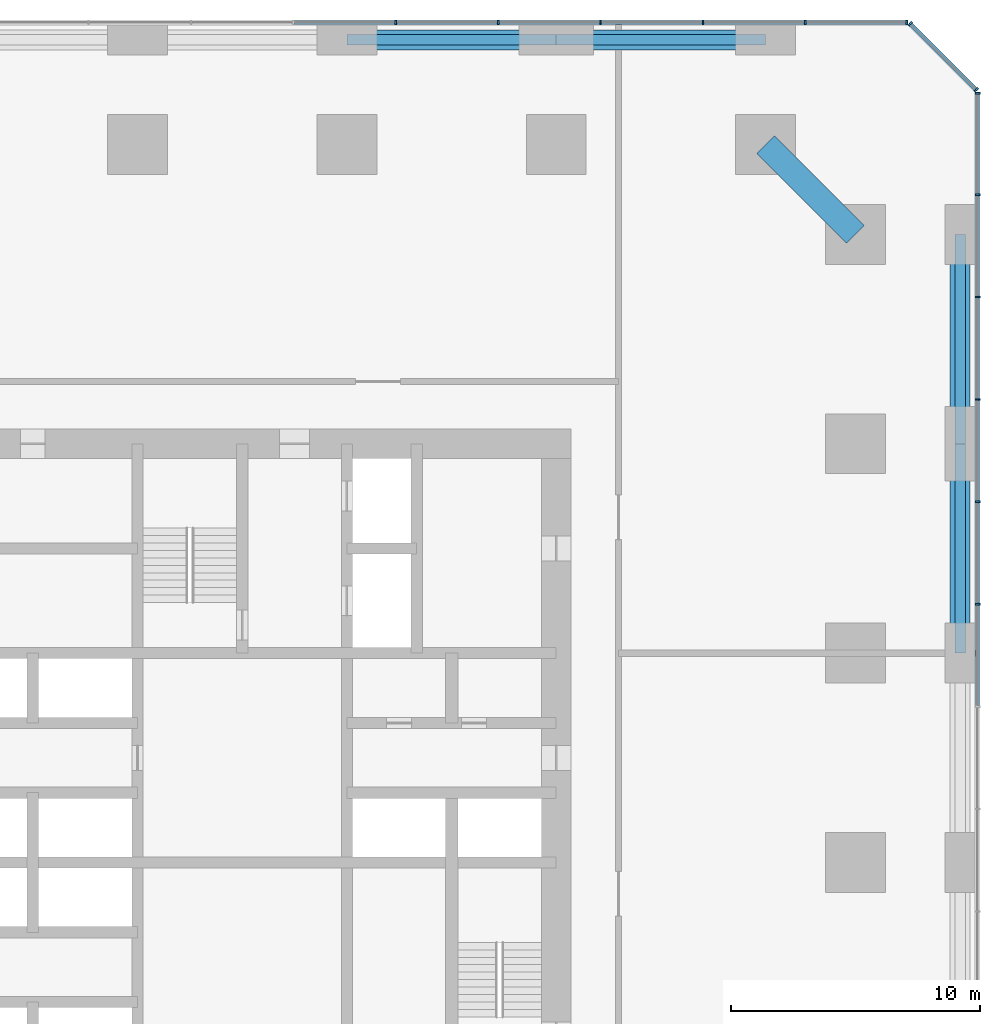
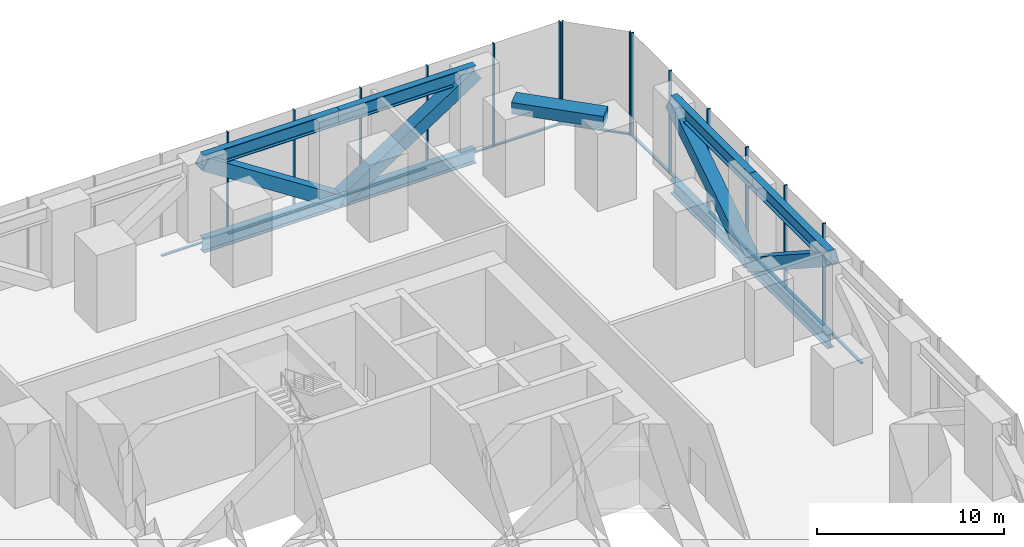
# One storey, part 7 of 11: 39 members, 1 beam, 3 elements without a shape of their own.
"""IFC4 building model written with IfcOpenShell, lengths in metres."""

from ifc_helpers import new_model, si_unit, direction, frame, origin, origin_2d, place, context, subcontext, project, spatial, rectangle, hollow_rectangle, i_section, extrude, material, material_profile, profile_set, type_object, element, aggregate, save


model = new_model("IFC4")

# Units and contexts
model_context = context("Model", 3, precision=1e-05, world=origin(), true_north=direction((0.0, 1.0)))
body_context = subcontext(model_context, "Body", "Model", "MODEL_VIEW")
ifc_project = project(units=[si_unit("LENGTHUNIT", "METRE"), si_unit("AREAUNIT", "SQUARE_METRE"), si_unit("VOLUMEUNIT", "CUBIC_METRE"), si_unit("PLANEANGLEUNIT", "RADIAN"), si_unit("MASSUNIT", "GRAM", prefix="KILO")], contexts=[model_context])

# Site, building, storey
site_placement = place(None, origin())
site = spatial("IfcSite", under=ifc_project, at=site_placement, CompositionType="ELEMENT")
building_placement = place(site_placement, origin())
building = spatial("IfcBuilding", under=site, at=building_placement, Name="Dunama Terrace Hotel", CompositionType="ELEMENT")
storey_placement = place(building_placement, frame((0.0, 0.0, 88.199951171875)))
storey = spatial("IfcBuildingStorey", under=building, at=storey_placement, Name="L22", CompositionType="ELEMENT", Elevation=88.199951171875)

# Members
ifc_material_1 = material(Name="Steel S355", Category="steel")
ifc_material_profile_1 = material_profile(ifc_material_1, hollow_rectangle(XDim=0.800048828125, YDim=0.800048828125, WallThickness=0.06005859375, at=origin_2d()), Name="BOX 800x800x60")
ifc_profile_set_1 = profile_set([ifc_material_profile_1], Name="Steel S355")
member_type_1 = type_object("IfcMemberType", Name="Brace BOX 800x800x60", PredefinedType="BRACE", material=ifc_profile_set_1)
for number, where, z_axis, x_axis, name in (
    (1, (58.199951171875, 42.0, -0.8603515625), (0.0, -0.83889900313, 0.544287114075), (1.0, 0.0, 0.0), "Belt truss diagonal L22"),
    (2, (58.199951171875, 42.0, -0.8603515625), (0.0, 0.83889900313, 0.544287114075), (-1.0, 0.0, 0.0), "Belt truss diagonal L22"),
    (3, (42.0, 58.199951171875, -0.8603515625), (-0.83889900313, 0.0, 0.544287114075), (0.0, -1.0, 0.0), "Belt truss diagonal L22"),
    (4, (42.0, 58.199951171875, -0.8603515625), (0.83889900313, 0.0, 0.544287114075), (0.0, 1.0, 0.0), "Belt truss diagonal L22"),
):
    element("IfcMember", number, at=place(storey_placement, frame(where, z_axis=z_axis, x_axis=x_axis)), inside=storey, type_object=member_type_1, Name=name, PredefinedType="BRACE", context=body_context, shape_type="SweptSolid", body=[
        extrude(hollow_rectangle(XDim=0.800048828125, YDim=0.800048828125, WallThickness=0.06005859375, at=origin_2d()), origin(), (0.0, 0.0, 1.0), 10.012939453125),
    ])

# Curtain wall, members
ifc_material_2 = material(Name="Aluminium curtain wall system", Category="aluminium")
curtain_wall_type = type_object("IfcCurtainWallType", Name="Plant floor louvred glazing CW-G", PredefinedType="NOTDEFINED", material=ifc_material_2)
curtain_wall_1_placement = place(storey_placement, origin())
curtain_wall_1 = element("IfcCurtainWall", 5, at=curtain_wall_1_placement, inside=storey, type_object=curtain_wall_type, Name="Plant floor louvred glazing CW-G L22", PredefinedType="NOTDEFINED")
ifc_material_3 = material(Name="Aluminium mullion", Category="aluminium")
ifc_material_profile_2 = material_profile(ifc_material_3, rectangle(XDim=0.074951171875, YDim=0.199951171875, at=origin_2d()), Name="CWG MULLION 75X200")
ifc_profile_set_2 = profile_set([ifc_material_profile_2], Name="Aluminium mullion")
member_type_2 = type_object("IfcMemberType", Name="CWG mullion 75x200", PredefinedType="MULLION", material=ifc_profile_set_2)
member_1_placement = place(storey_placement, frame((58.89990234375, 35.56201171875, -1.321044921875), z_axis=(0.0, 0.0, 1.0), x_axis=(0.0, 1.0, 0.0)))
member_1 = element("IfcMember", 6, at=member_1_placement, type_object=member_type_2, Name="CWG mullion", PredefinedType="MULLION", context=body_context, shape_type="SweptSolid", body=[
    extrude(rectangle(XDim=0.074951171875, YDim=0.199951171875, at=origin_2d()), origin(), (0.0, 0.0, 1.0), 6.72119140625),
])
member_2_placement = place(storey_placement, frame((58.89990234375, 39.6689453125, -1.321044921875), z_axis=(0.0, 0.0, 1.0), x_axis=(0.0, 1.0, 0.0)))
member_2 = element("IfcMember", 7, at=member_2_placement, type_object=member_type_2, Name="CWG mullion", PredefinedType="MULLION", context=body_context, shape_type="SweptSolid", body=[
    extrude(rectangle(XDim=0.074951171875, YDim=0.199951171875, at=origin_2d()), origin(), (0.0, 0.0, 1.0), 6.72119140625),
])
member_3_placement = place(storey_placement, frame((58.89990234375, 43.777099609375, -1.321044921875), z_axis=(0.0, 0.0, 1.0), x_axis=(0.0, 1.0, 0.0)))
member_3 = element("IfcMember", 8, at=member_3_placement, type_object=member_type_2, Name="CWG mullion", PredefinedType="MULLION", context=body_context, shape_type="SweptSolid", body=[
    extrude(rectangle(XDim=0.074951171875, YDim=0.199951171875, at=origin_2d()), origin(), (0.0, 0.0, 1.0), 6.72119140625),
])
member_4_placement = place(storey_placement, frame((58.89990234375, 47.885009765625, -1.321044921875), z_axis=(0.0, 0.0, 1.0), x_axis=(0.0, 1.0, 0.0)))
member_4 = element("IfcMember", 9, at=member_4_placement, type_object=member_type_2, Name="CWG mullion", PredefinedType="MULLION", context=body_context, shape_type="SweptSolid", body=[
    extrude(rectangle(XDim=0.074951171875, YDim=0.199951171875, at=origin_2d()), origin(), (0.0, 0.0, 1.0), 6.72119140625),
])
member_5_placement = place(storey_placement, frame((58.89990234375, 51.991943359375, -1.321044921875), z_axis=(0.0, 0.0, 1.0), x_axis=(0.0, 1.0, 0.0)))
member_5 = element("IfcMember", 10, at=member_5_placement, type_object=member_type_2, Name="CWG mullion", PredefinedType="MULLION", context=body_context, shape_type="SweptSolid", body=[
    extrude(rectangle(XDim=0.074951171875, YDim=0.199951171875, at=origin_2d()), origin(), (0.0, 0.0, 1.0), 6.72119140625),
])
member_6_placement = place(storey_placement, frame((58.89990234375, 56.06201171875, -1.321044921875), z_axis=(0.0, 0.0, 1.0), x_axis=(0.0, 1.0, 0.0)))
member_6 = element("IfcMember", 11, at=member_6_placement, type_object=member_type_2, Name="CWG mullion", PredefinedType="MULLION", context=body_context, shape_type="SweptSolid", body=[
    extrude(rectangle(XDim=0.074951171875, YDim=0.199951171875, at=origin_2d()), origin(), (0.0, 0.0, 1.0), 6.72119140625),
])

curtain_wall_2_placement = place(storey_placement, origin())
curtain_wall_2 = element("IfcCurtainWall", 12, at=curtain_wall_2_placement, inside=storey, type_object=curtain_wall_type, Name="Plant floor louvred glazing CW-G L22", PredefinedType="NOTDEFINED")
member_7_placement = place(storey_placement, frame((58.843994140625, 56.197021484375, -1.321044921875), z_axis=(0.0, 0.0, 1.0), x_axis=(-0.707106781187, 0.707106781187, 0.0)))
member_7 = element("IfcMember", 13, at=member_7_placement, type_object=member_type_2, Name="CWG mullion", PredefinedType="MULLION", context=body_context, shape_type="SweptSolid", body=[
    extrude(rectangle(XDim=0.074951171875, YDim=0.199951171875, at=origin_2d()), origin(), (0.0, 0.0, 1.0), 6.72119140625),
])
member_8_placement = place(storey_placement, frame((56.197021484375, 58.843994140625, -1.321044921875), z_axis=(0.0, 0.0, 1.0), x_axis=(-0.707106781187, 0.707106781187, 0.0)))
member_8 = element("IfcMember", 14, at=member_8_placement, type_object=member_type_2, Name="CWG mullion", PredefinedType="MULLION", context=body_context, shape_type="SweptSolid", body=[
    extrude(rectangle(XDim=0.074951171875, YDim=0.199951171875, at=origin_2d()), origin(), (0.0, 0.0, 1.0), 6.72119140625),
])

curtain_wall_3_placement = place(storey_placement, origin())
curtain_wall_3 = element("IfcCurtainWall", 15, at=curtain_wall_3_placement, inside=storey, type_object=curtain_wall_type, Name="Plant floor louvred glazing CW-G L22", PredefinedType="NOTDEFINED")
member_9_placement = place(storey_placement, frame((56.06201171875, 58.89990234375, -1.321044921875), z_axis=(0.0, 0.0, 1.0), x_axis=(-1.0, 0.0, 0.0)))
member_9 = element("IfcMember", 16, at=member_9_placement, type_object=member_type_2, Name="CWG mullion", PredefinedType="MULLION", context=body_context, shape_type="SweptSolid", body=[
    extrude(rectangle(XDim=0.074951171875, YDim=0.199951171875, at=origin_2d()), origin(), (0.0, 0.0, 1.0), 6.72119140625),
])
member_10_placement = place(storey_placement, frame((51.991943359375, 58.89990234375, -1.321044921875), z_axis=(0.0, 0.0, 1.0), x_axis=(-1.0, 0.0, 0.0)))
member_10 = element("IfcMember", 17, at=member_10_placement, type_object=member_type_2, Name="CWG mullion", PredefinedType="MULLION", context=body_context, shape_type="SweptSolid", body=[
    extrude(rectangle(XDim=0.074951171875, YDim=0.199951171875, at=origin_2d()), origin(), (0.0, 0.0, 1.0), 6.72119140625),
])
member_11_placement = place(storey_placement, frame((47.885009765625, 58.89990234375, -1.321044921875), z_axis=(0.0, 0.0, 1.0), x_axis=(-1.0, 0.0, 0.0)))
member_11 = element("IfcMember", 18, at=member_11_placement, type_object=member_type_2, Name="CWG mullion", PredefinedType="MULLION", context=body_context, shape_type="SweptSolid", body=[
    extrude(rectangle(XDim=0.074951171875, YDim=0.199951171875, at=origin_2d()), origin(), (0.0, 0.0, 1.0), 6.72119140625),
])
member_12_placement = place(storey_placement, frame((43.777099609375, 58.89990234375, -1.321044921875), z_axis=(0.0, 0.0, 1.0), x_axis=(-1.0, 0.0, 0.0)))
member_12 = element("IfcMember", 19, at=member_12_placement, type_object=member_type_2, Name="CWG mullion", PredefinedType="MULLION", context=body_context, shape_type="SweptSolid", body=[
    extrude(rectangle(XDim=0.074951171875, YDim=0.199951171875, at=origin_2d()), origin(), (0.0, 0.0, 1.0), 6.72119140625),
])
member_13_placement = place(storey_placement, frame((39.6689453125, 58.89990234375, -1.321044921875), z_axis=(0.0, 0.0, 1.0), x_axis=(-1.0, 0.0, 0.0)))
member_13 = element("IfcMember", 20, at=member_13_placement, type_object=member_type_2, Name="CWG mullion", PredefinedType="MULLION", context=body_context, shape_type="SweptSolid", body=[
    extrude(rectangle(XDim=0.074951171875, YDim=0.199951171875, at=origin_2d()), origin(), (0.0, 0.0, 1.0), 6.72119140625),
])
member_14_placement = place(storey_placement, frame((35.56201171875, 58.89990234375, -1.321044921875), z_axis=(0.0, 0.0, 1.0), x_axis=(-1.0, 0.0, 0.0)))
member_14 = element("IfcMember", 21, at=member_14_placement, type_object=member_type_2, Name="CWG mullion", PredefinedType="MULLION", context=body_context, shape_type="SweptSolid", body=[
    extrude(rectangle(XDim=0.074951171875, YDim=0.199951171875, at=origin_2d()), origin(), (0.0, 0.0, 1.0), 6.72119140625),
])

# Member
ifc_material_4 = material(Name="Aluminium transom", Category="aluminium")
ifc_material_profile_3 = material_profile(ifc_material_4, rectangle(XDim=0.159912109375, YDim=0.0849609375, at=origin_2d()), Name="CWG TRANSOM 160X85")
ifc_profile_set_3 = profile_set([ifc_material_profile_3], Name="Aluminium transom")
member_type_3 = type_object("IfcMemberType", Name="CWG transom 160x85", PredefinedType="USERDEFINED", material=ifc_profile_set_3)
member_15_placement = place(storey_placement, frame((58.89990234375, 31.490966796875, -1.278564453125), z_axis=(0.0, 1.0, 0.0), x_axis=(-1.0, 0.0, 0.0)))
member_15 = element("IfcMember", 22, at=member_15_placement, type_object=member_type_3, Name="CWG transom", ObjectType="TRANSOM", PredefinedType="USERDEFINED", context=body_context, shape_type="SweptSolid", body=[
    extrude(rectangle(XDim=0.159912109375, YDim=0.0849609375, at=origin_2d()), origin(), (0.0, 0.0, 1.0), 4.032958984375),
])

member_16_placement = place(storey_placement, frame((58.89990234375, 35.59912109375, -1.278564453125), z_axis=(0.0, 1.0, 0.0), x_axis=(-1.0, 0.0, 0.0)))
member_16 = element("IfcMember", 23, at=member_16_placement, type_object=member_type_3, Name="CWG transom", ObjectType="TRANSOM", PredefinedType="USERDEFINED", context=body_context, shape_type="SweptSolid", body=[
    extrude(rectangle(XDim=0.159912109375, YDim=0.0849609375, at=origin_2d()), origin(), (0.0, 0.0, 1.0), 4.032958984375),
])

member_17_placement = place(storey_placement, frame((58.89990234375, 39.70703125, -1.278564453125), z_axis=(0.0, 1.0, 0.0), x_axis=(-1.0, 0.0, 0.0)))
member_17 = element("IfcMember", 24, at=member_17_placement, type_object=member_type_3, Name="CWG transom", ObjectType="TRANSOM", PredefinedType="USERDEFINED", context=body_context, shape_type="SweptSolid", body=[
    extrude(rectangle(XDim=0.159912109375, YDim=0.0849609375, at=origin_2d()), origin(), (0.0, 0.0, 1.0), 4.031982421875),
])

member_18_placement = place(storey_placement, frame((58.89990234375, 43.81396484375, -1.278564453125), z_axis=(0.0, 1.0, 0.0), x_axis=(-1.0, 0.0, 0.0)))
member_18 = element("IfcMember", 25, at=member_18_placement, type_object=member_type_3, Name="CWG transom", ObjectType="TRANSOM", PredefinedType="USERDEFINED", context=body_context, shape_type="SweptSolid", body=[
    extrude(rectangle(XDim=0.159912109375, YDim=0.0849609375, at=origin_2d()), origin(), (0.0, 0.0, 1.0), 4.032958984375),
])

member_19_placement = place(storey_placement, frame((58.89990234375, 47.922119140625, -1.278564453125), z_axis=(0.0, 1.0, 0.0), x_axis=(-1.0, 0.0, 0.0)))
member_19 = element("IfcMember", 26, at=member_19_placement, type_object=member_type_3, Name="CWG transom", ObjectType="TRANSOM", PredefinedType="USERDEFINED", context=body_context, shape_type="SweptSolid", body=[
    extrude(rectangle(XDim=0.159912109375, YDim=0.0849609375, at=origin_2d()), origin(), (0.0, 0.0, 1.0), 4.032958984375),
])

member_20_placement = place(storey_placement, frame((58.89990234375, 52.030029296875, -1.278564453125), z_axis=(0.0, 1.0, 0.0), x_axis=(-1.0, 0.0, 0.0)))
member_20 = element("IfcMember", 27, at=member_20_placement, type_object=member_type_3, Name="CWG transom", ObjectType="TRANSOM", PredefinedType="USERDEFINED", context=body_context, shape_type="SweptSolid", body=[
    extrude(rectangle(XDim=0.159912109375, YDim=0.0849609375, at=origin_2d()), origin(), (0.0, 0.0, 1.0), 3.994873046875),
])

aggregate(curtain_wall_1, [member_1, member_2, member_3, member_4, member_5, member_6, member_15, member_16, member_17, member_18, member_19, member_20])

member_21_placement = place(storey_placement, frame((58.818115234375, 56.22412109375, -1.278564453125), z_axis=(-0.707106781187, 0.707106781187, 0.0), x_axis=(-0.707106781187, -0.707106781187, 0.0)))
member_21 = element("IfcMember", 28, at=member_21_placement, type_object=member_type_3, Name="CWG transom", ObjectType="TRANSOM", PredefinedType="USERDEFINED", context=body_context, shape_type="SweptSolid", body=[
    extrude(rectangle(XDim=0.159912109375, YDim=0.0849609375, at=origin_2d()), origin(), (0.0, 0.0, 1.0), 3.66845703125),
])

aggregate(curtain_wall_2, [member_7, member_8, member_21])

member_22_placement = place(storey_placement, frame((56.02490234375, 58.89990234375, -1.278564453125), z_axis=(-1.0, 0.0, 0.0), x_axis=(0.0, -1.0, 0.0)))
member_22 = element("IfcMember", 29, at=member_22_placement, type_object=member_type_3, Name="CWG transom", ObjectType="TRANSOM", PredefinedType="USERDEFINED", context=body_context, shape_type="SweptSolid", body=[
    extrude(rectangle(XDim=0.159912109375, YDim=0.0849609375, at=origin_2d()), origin(), (0.0, 0.0, 1.0), 3.994873046875),
])

member_23_placement = place(storey_placement, frame((51.955078125, 58.89990234375, -1.278564453125), z_axis=(-1.0, 0.0, 0.0), x_axis=(0.0, -1.0, 0.0)))
member_23 = element("IfcMember", 30, at=member_23_placement, type_object=member_type_3, Name="CWG transom", ObjectType="TRANSOM", PredefinedType="USERDEFINED", context=body_context, shape_type="SweptSolid", body=[
    extrude(rectangle(XDim=0.159912109375, YDim=0.0849609375, at=origin_2d()), origin(), (0.0, 0.0, 1.0), 4.032958984375),
])

member_24_placement = place(storey_placement, frame((47.846923828125, 58.89990234375, -1.278564453125), z_axis=(-1.0, 0.0, 0.0), x_axis=(0.0, -1.0, 0.0)))
member_24 = element("IfcMember", 31, at=member_24_placement, type_object=member_type_3, Name="CWG transom", ObjectType="TRANSOM", PredefinedType="USERDEFINED", context=body_context, shape_type="SweptSolid", body=[
    extrude(rectangle(XDim=0.159912109375, YDim=0.0849609375, at=origin_2d()), origin(), (0.0, 0.0, 1.0), 4.032958984375),
])

member_25_placement = place(storey_placement, frame((43.739013671875, 58.89990234375, -1.278564453125), z_axis=(-1.0, 0.0, 0.0), x_axis=(0.0, -1.0, 0.0)))
member_25 = element("IfcMember", 32, at=member_25_placement, type_object=member_type_3, Name="CWG transom", ObjectType="TRANSOM", PredefinedType="USERDEFINED", context=body_context, shape_type="SweptSolid", body=[
    extrude(rectangle(XDim=0.159912109375, YDim=0.0849609375, at=origin_2d()), origin(), (0.0, 0.0, 1.0), 4.031982421875),
])

member_26_placement = place(storey_placement, frame((39.632080078125, 58.89990234375, -1.278564453125), z_axis=(-1.0, 0.0, 0.0), x_axis=(0.0, -1.0, 0.0)))
member_26 = element("IfcMember", 33, at=member_26_placement, type_object=member_type_3, Name="CWG transom", ObjectType="TRANSOM", PredefinedType="USERDEFINED", context=body_context, shape_type="SweptSolid", body=[
    extrude(rectangle(XDim=0.159912109375, YDim=0.0849609375, at=origin_2d()), origin(), (0.0, 0.0, 1.0), 4.032958984375),
])

member_27_placement = place(storey_placement, frame((35.52392578125, 58.89990234375, -1.278564453125), z_axis=(-1.0, 0.0, 0.0), x_axis=(0.0, -1.0, 0.0)))
member_27 = element("IfcMember", 34, at=member_27_placement, type_object=member_type_3, Name="CWG transom", ObjectType="TRANSOM", PredefinedType="USERDEFINED", context=body_context, shape_type="SweptSolid", body=[
    extrude(rectangle(XDim=0.159912109375, YDim=0.0849609375, at=origin_2d()), origin(), (0.0, 0.0, 1.0), 4.032958984375),
])

aggregate(curtain_wall_3, [member_9, member_10, member_11, member_12, member_13, member_14, member_22, member_23, member_24, member_25, member_26, member_27])

# Beam
ifc_material_5 = material(Name="Concrete C50/60", Category="concrete")
ifc_material_profile_4 = material_profile(ifc_material_5, rectangle(XDim=1.0, YDim=0.75, at=origin_2d()), Name="RC 1000x750")
ifc_profile_set_4 = profile_set([ifc_material_profile_4], Name="Concrete C50/60")
beam_type = type_object("IfcBeamType", Name="Edge beam RC 1000x750", PredefinedType="SPANDREL", material=ifc_profile_set_4)
beam_placement = place(storey_placement, frame((50.39990234375, 54.0, 5.025146484375), z_axis=(0.707106781187, -0.707106781187, 0.0), x_axis=(0.707106781187, 0.707106781187, 0.0)))
element("IfcBeam", 35, at=beam_placement, inside=storey, type_object=beam_type, Name="Corner edge beam under L23", PredefinedType="SPANDREL", context=body_context, shape_type="SweptSolid", body=[
    extrude(rectangle(XDim=1.0, YDim=0.75, at=origin_2d()), origin(), (0.0, 0.0, 1.0), 5.09130859375),
])

# Members
ifc_material_6 = material(Name="Steel S355", Category="steel")
ifc_material_profile_5 = material_profile(ifc_material_6, i_section(OverallWidth=0.42041015625, OverallDepth=0.9208984375, WebThickness=0.021484375, FlangeThickness=0.03662109375, FilletRadius=0.024169921875, at=origin_2d()), Name="UB 914x419x388")
ifc_profile_set_5 = profile_set([ifc_material_profile_5], Name="Steel S355")
member_type_4 = type_object("IfcMemberType", Name="Truss member UB 914x419x388", PredefinedType="CHORD", material=ifc_profile_set_5)
for number, where, z_axis, x_axis, name in (
    (36, (58.199951171875, 33.60009765625, 4.589599609375), (0.0, 1.0, 0.0), (-1.0, 0.0, 0.0), "Belt truss top chord L22"),
    (37, (58.199951171875, 33.60009765625, -0.8603515625), (0.0, 1.0, 0.0), (-1.0, 0.0, 0.0), "Belt truss bottom chord L22"),
    (38, (58.199951171875, 42.0, 4.589599609375), (0.0, 1.0, 0.0), (-1.0, 0.0, 0.0), "Belt truss top chord L22"),
    (39, (58.199951171875, 42.0, -0.8603515625), (0.0, 1.0, 0.0), (-1.0, 0.0, 0.0), "Belt truss bottom chord L22"),
    (40, (33.60009765625, 58.199951171875, 4.589599609375), (1.0, 0.0, 0.0), (0.0, 1.0, 0.0), "Belt truss top chord L22"),
    (41, (33.60009765625, 58.199951171875, -0.8603515625), (1.0, 0.0, 0.0), (0.0, 1.0, 0.0), "Belt truss bottom chord L22"),
    (42, (42.0, 58.199951171875, 4.589599609375), (1.0, 0.0, 0.0), (0.0, 1.0, 0.0), "Belt truss top chord L22"),
    (43, (42.0, 58.199951171875, -0.8603515625), (1.0, 0.0, 0.0), (0.0, 1.0, 0.0), "Belt truss bottom chord L22"),
):
    element("IfcMember", number, at=place(storey_placement, frame(where, z_axis=z_axis, x_axis=x_axis)), inside=storey, type_object=member_type_4, Name=name, PredefinedType="CHORD", context=body_context, shape_type="SweptSolid", body=[
        extrude(i_section(OverallWidth=0.42041015625, OverallDepth=0.9208984375, WebThickness=0.021484375, FlangeThickness=0.03662109375, FilletRadius=0.024169921875, at=origin_2d()), origin(), (0.0, 0.0, 1.0), 8.39990234375),
    ])

save(model, "model.ifc")
